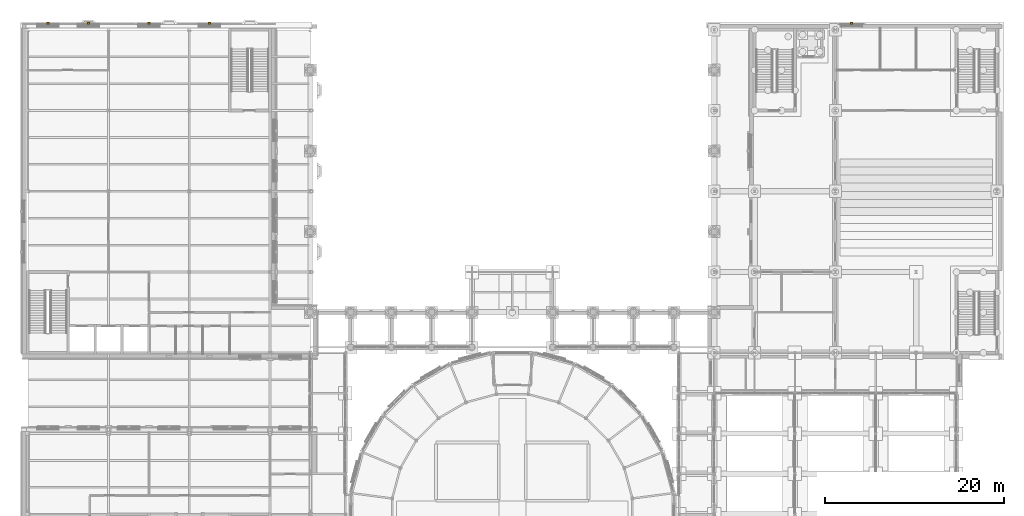
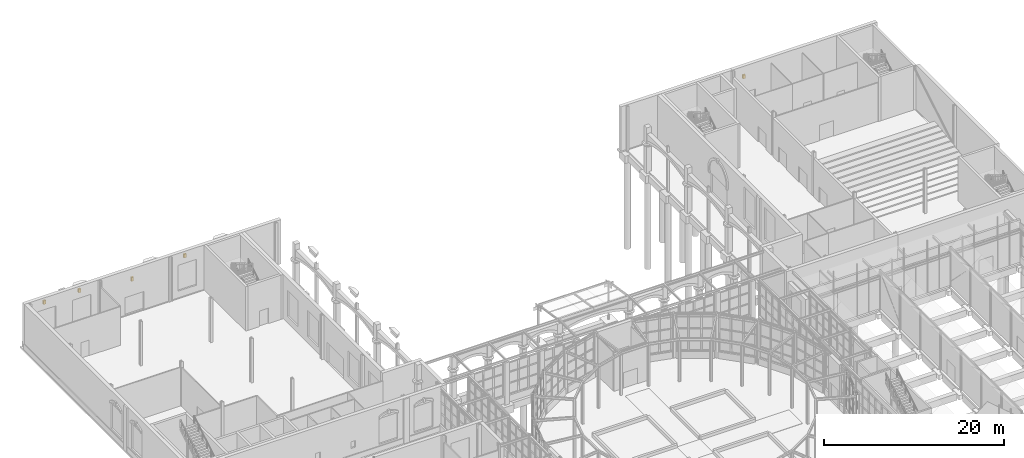
# One storey, part 105 of 106: 5 coverings.
"""IFC4 building model written with IfcOpenShell, lengths in metres."""

from ifc_helpers import new_model, si_unit, direction, frame, origin, origin_2d, place, context, subcontext, project, spatial, rectangle, extrude, material, layer, layer_set, type_object, element, save


model = new_model("IFC4")

# Units and contexts
model_context = context("Model", 3, precision=1e-05, world=origin(), true_north=direction((0.0, 1.0)))
body_context = subcontext(model_context, "Body", "Model", "MODEL_VIEW")
ifc_project = project(units=[si_unit("LENGTHUNIT", "METRE"), si_unit("AREAUNIT", "SQUARE_METRE"), si_unit("VOLUMEUNIT", "CUBIC_METRE"), si_unit("PLANEANGLEUNIT", "RADIAN"), si_unit("MASSUNIT", "GRAM", prefix="KILO")], contexts=[model_context])

# Site, building, storey
site_placement = place(None, origin())
site = spatial("IfcSite", under=ifc_project, at=site_placement, CompositionType="ELEMENT")
building_placement = place(site_placement, origin())
building = spatial("IfcBuilding", under=site, at=building_placement, Name="Hortulan Conservatory and Botanical Research Centre", CompositionType="ELEMENT")
storey_placement = place(building_placement, origin())
storey = spatial("IfcBuildingStorey", under=building, at=storey_placement, Name="L00", CompositionType="ELEMENT", Elevation=0.0)

# Coverings
ifc_material = material(Name="Sandstone masonry (Hawkesbury yellow block)", Category="masonry")
ifc_layer = layer(ifc_material, 0.219970703125)
ifc_layer_set = layer_set([ifc_layer], Name="Sandstone Keystone 300x500")
covering_type = type_object("IfcCoveringType", Name="Sandstone Keystone 300x500", PredefinedType="CLADDING", material=ifc_layer_set)
for number, where, z_axis, x_axis, name in (
    (1, (2.25, 72.720458984375, 4.7451171875), (0.0, 0.0, 1.0), (1.0, 0.0, 0.0), "Keystone"),
    (2, (6.75, 72.720458984375, 4.7451171875), (0.0, 0.0, 1.0), (1.0, 0.0, 0.0), "Keystone"),
    (3, (20.25, 72.720458984375, 4.7451171875), (0.0, 0.0, 1.0), (1.0, 0.0, 0.0), "Keystone"),
    (4, (13.5, 72.720458984375, 3.94677734375), (0.0, 0.0, 1.0), (1.0, 0.0, 0.0), "Keystone"),
    (5, (91.800048828125, 72.714599609375, 3.94677734375), (0.0, 0.0, 1.0), (1.0, 0.0, 0.0), "Keystone"),
):
    element("IfcCovering", number, at=place(storey_placement, frame(where, z_axis=z_axis, x_axis=x_axis)), inside=storey, type_object=covering_type, Name=name, PredefinedType="CLADDING", context=body_context, shape_type="SweptSolid", body=[
        extrude(rectangle(XDim=0.300048828125, YDim=0.219970703125, at=origin_2d()), origin(), (0.0, 0.0, 1.0), 0.5),
    ])

save(model, "model.ifc")
